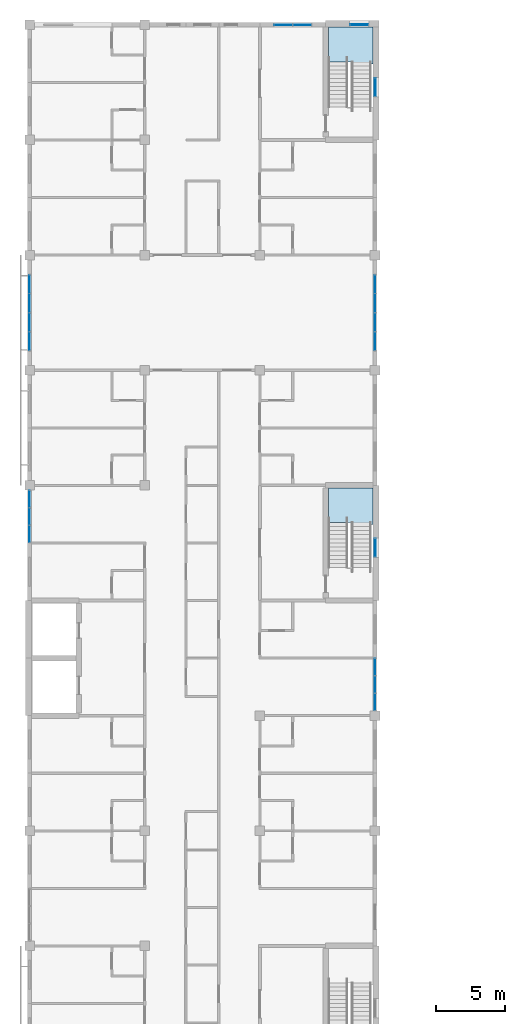
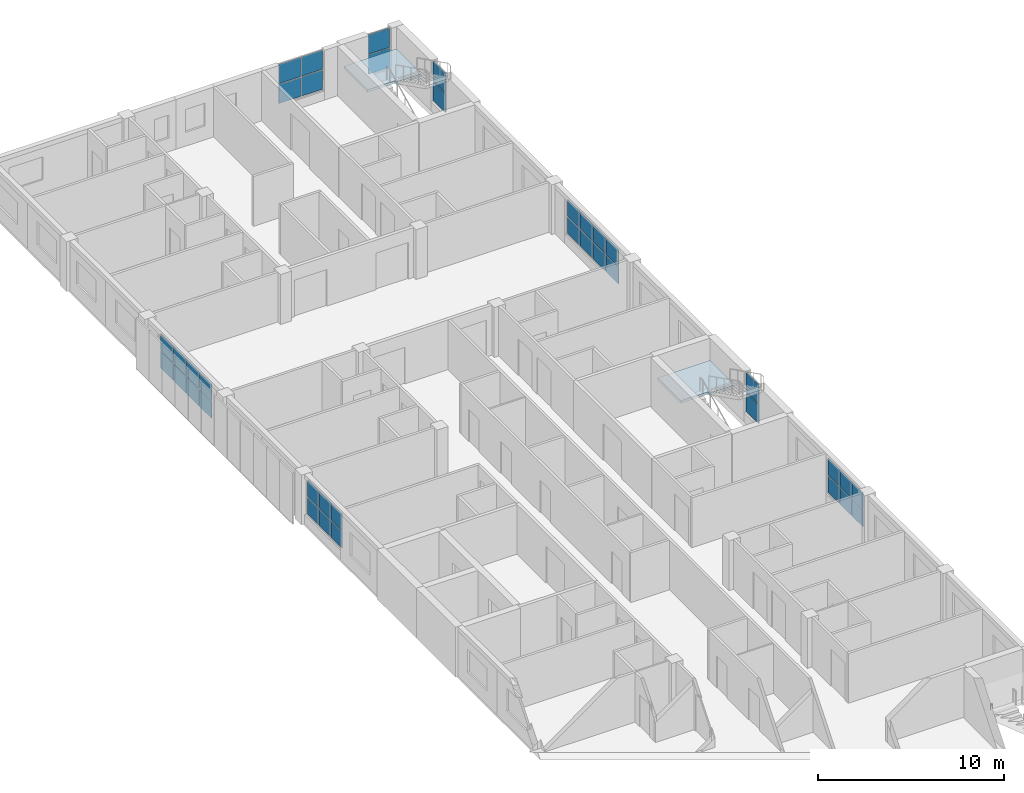
# One storey, part 22 of 46: 38 plates, 2 slabs, 10 elements without a shape of their own.
"""IFC4 building model written with IfcOpenShell, lengths in metres."""

from ifc_helpers import new_model, si_unit, direction, frame, origin, origin_2d, place, context, subcontext, project, spatial, polyline, rectangle, outline, extrude, material, layer, layer_set, type_object, element, aggregate, save


model = new_model("IFC4")

# Units and contexts
model_context = context("Model", 3, precision=1e-05, world=origin(), true_north=direction((0.0, 1.0)))
body_context = subcontext(model_context, "Body", "Model", "MODEL_VIEW")
ifc_project = project(units=[si_unit("LENGTHUNIT", "METRE"), si_unit("AREAUNIT", "SQUARE_METRE"), si_unit("VOLUMEUNIT", "CUBIC_METRE"), si_unit("PLANEANGLEUNIT", "RADIAN"), si_unit("MASSUNIT", "GRAM", prefix="KILO")], contexts=[model_context])

# Site, building, storey
site_placement = place(None, origin())
site = spatial("IfcSite", under=ifc_project, at=site_placement, CompositionType="ELEMENT")
building_placement = place(site_placement, origin())
building = spatial("IfcBuilding", under=site, at=building_placement, Name="Yavir Park General Hospital", CompositionType="ELEMENT")
storey_placement = place(building_placement, frame((0.0, 0.0, 18.89990234375)))
storey = spatial("IfcBuildingStorey", under=building, at=storey_placement, Name="L04", CompositionType="ELEMENT", Elevation=18.89990234375)

# Curtain wall, plates
ifc_material_1 = material(Name="Aluminium curtain wall frame with insulated glazing", Category="aluminium")
curtain_wall_type_1 = type_object("IfcCurtainWallType", Name="Day room pocket glazing, ward floors, 2360 high, 1400 module", PredefinedType="NOTDEFINED", material=ifc_material_1)
curtain_wall_1_placement = place(storey_placement, origin())
curtain_wall_1 = element("IfcCurtainWall", 1, at=curtain_wall_1_placement, inside=storey, type_object=curtain_wall_type_1, Name="CW6 L04-019", PredefinedType="NOTDEFINED")
ifc_material_2 = material(Name="Insulated glazed unit 30 mm, low-e coating")
ifc_layer_1 = layer(ifc_material_2, 0.030029296875)
ifc_layer_set_1 = layer_set([ifc_layer_1], Name="Insulated glazed unit 30 mm, low-e coating")
plate_type_1 = type_object("IfcPlateType", Name="Day room pocket glazing, ward floors, 2360 high panel 30", PredefinedType="CURTAIN_PANEL", material=ifc_layer_set_1)
plate_1_placement = place(storey_placement, frame((0.0, 80.456787109375, 0.66015625), z_axis=(0.0, 0.0, 1.0), x_axis=(0.0, 1.0, 0.0)))
plate_1 = element("IfcPlate", 2, at=plate_1_placement, type_object=plate_type_1, Name="CW6 panel 1.1", PredefinedType="CURTAIN_PANEL", context=body_context, shape_type="SweptSolid", body=[
    extrude(rectangle(XDim=1.193359375, YDim=0.030029296875, at=origin_2d()), origin(), (0.0, 0.0, 1.0), 1.090087890625),
])
plate_2_placement = place(storey_placement, frame((0.0, 80.456787109375, 1.81005859375), z_axis=(0.0, 0.0, 1.0), x_axis=(0.0, 1.0, 0.0)))
plate_2 = element("IfcPlate", 3, at=plate_2_placement, type_object=plate_type_1, Name="CW6 panel 1.2", PredefinedType="CURTAIN_PANEL", context=body_context, shape_type="SweptSolid", body=[
    extrude(rectangle(XDim=1.193359375, YDim=0.030029296875, at=origin_2d()), origin(), (0.0, 0.0, 1.0), 1.090087890625),
])
plate_3_placement = place(storey_placement, frame((0.0, 81.72509765625, 0.66015625), z_axis=(0.0, 0.0, 1.0), x_axis=(0.0, 1.0, 0.0)))
plate_3 = element("IfcPlate", 4, at=plate_3_placement, type_object=plate_type_1, Name="CW6 panel 2.1", PredefinedType="CURTAIN_PANEL", context=body_context, shape_type="SweptSolid", body=[
    extrude(rectangle(XDim=1.223388671875, YDim=0.030029296875, at=origin_2d()), origin(), (0.0, 0.0, 1.0), 1.090087890625),
])
plate_4_placement = place(storey_placement, frame((0.0, 81.72509765625, 1.81005859375), z_axis=(0.0, 0.0, 1.0), x_axis=(0.0, 1.0, 0.0)))
plate_4 = element("IfcPlate", 5, at=plate_4_placement, type_object=plate_type_1, Name="CW6 panel 2.2", PredefinedType="CURTAIN_PANEL", context=body_context, shape_type="SweptSolid", body=[
    extrude(rectangle(XDim=1.223388671875, YDim=0.030029296875, at=origin_2d()), origin(), (0.0, 0.0, 1.0), 1.090087890625),
])
plate_5_placement = place(storey_placement, frame((0.0, 82.993408203125, 0.66015625), z_axis=(0.0, 0.0, 1.0), x_axis=(0.0, 1.0, 0.0)))
plate_5 = element("IfcPlate", 6, at=plate_5_placement, type_object=plate_type_1, Name="CW6 panel 3.1", PredefinedType="CURTAIN_PANEL", context=body_context, shape_type="SweptSolid", body=[
    extrude(rectangle(XDim=1.193359375, YDim=0.030029296875, at=origin_2d()), origin(), (0.0, 0.0, 1.0), 1.090087890625),
])
plate_6_placement = place(storey_placement, frame((0.0, 82.993408203125, 1.81005859375), z_axis=(0.0, 0.0, 1.0), x_axis=(0.0, 1.0, 0.0)))
plate_6 = element("IfcPlate", 7, at=plate_6_placement, type_object=plate_type_1, Name="CW6 panel 3.2", PredefinedType="CURTAIN_PANEL", context=body_context, shape_type="SweptSolid", body=[
    extrude(rectangle(XDim=1.193359375, YDim=0.030029296875, at=origin_2d()), origin(), (0.0, 0.0, 1.0), 1.090087890625),
])
aggregate(curtain_wall_1, [plate_1, plate_2, plate_3, plate_4, plate_5, plate_6])

curtain_wall_2_placement = place(storey_placement, origin())
curtain_wall_2 = element("IfcCurtainWall", 8, at=curtain_wall_2_placement, inside=storey, type_object=curtain_wall_type_1, Name="CW6 L04-020", PredefinedType="NOTDEFINED")
plate_7_placement = place(storey_placement, frame((0.0, 94.514892578125, 0.66015625), z_axis=(0.0, 0.0, 1.0), x_axis=(0.0, 1.0, 0.0)))
plate_7 = element("IfcPlate", 9, at=plate_7_placement, type_object=plate_type_1, Name="CW6 panel 1.1", PredefinedType="CURTAIN_PANEL", context=body_context, shape_type="SweptSolid", body=[
    extrude(rectangle(XDim=1.31005859375, YDim=0.030029296875, at=origin_2d()), origin(), (0.0, 0.0, 1.0), 1.090087890625),
])
plate_8_placement = place(storey_placement, frame((0.0, 94.514892578125, 1.81005859375), z_axis=(0.0, 0.0, 1.0), x_axis=(0.0, 1.0, 0.0)))
plate_8 = element("IfcPlate", 10, at=plate_8_placement, type_object=plate_type_1, Name="CW6 panel 1.2", PredefinedType="CURTAIN_PANEL", context=body_context, shape_type="SweptSolid", body=[
    extrude(rectangle(XDim=1.31005859375, YDim=0.030029296875, at=origin_2d()), origin(), (0.0, 0.0, 1.0), 1.090087890625),
])
plate_9_placement = place(storey_placement, frame((0.0, 95.89990234375, 0.66015625), z_axis=(0.0, 0.0, 1.0), x_axis=(0.0, 1.0, 0.0)))
plate_9 = element("IfcPlate", 11, at=plate_9_placement, type_object=plate_type_1, Name="CW6 panel 2.1", PredefinedType="CURTAIN_PANEL", context=body_context, shape_type="SweptSolid", body=[
    extrude(rectangle(XDim=1.340087890625, YDim=0.030029296875, at=origin_2d()), origin(), (0.0, 0.0, 1.0), 1.090087890625),
])
plate_10_placement = place(storey_placement, frame((0.0, 95.89990234375, 1.81005859375), z_axis=(0.0, 0.0, 1.0), x_axis=(0.0, 1.0, 0.0)))
plate_10 = element("IfcPlate", 12, at=plate_10_placement, type_object=plate_type_1, Name="CW6 panel 2.2", PredefinedType="CURTAIN_PANEL", context=body_context, shape_type="SweptSolid", body=[
    extrude(rectangle(XDim=1.340087890625, YDim=0.030029296875, at=origin_2d()), origin(), (0.0, 0.0, 1.0), 1.090087890625),
])
plate_11_placement = place(storey_placement, frame((0.0, 97.300048828125, 0.66015625), z_axis=(0.0, 0.0, 1.0), x_axis=(0.0, 1.0, 0.0)))
plate_11 = element("IfcPlate", 13, at=plate_11_placement, type_object=plate_type_1, Name="CW6 panel 3.1", PredefinedType="CURTAIN_PANEL", context=body_context, shape_type="SweptSolid", body=[
    extrude(rectangle(XDim=1.340087890625, YDim=0.030029296875, at=origin_2d()), origin(), (0.0, 0.0, 1.0), 1.090087890625),
])
plate_12_placement = place(storey_placement, frame((0.0, 97.300048828125, 1.81005859375), z_axis=(0.0, 0.0, 1.0), x_axis=(0.0, 1.0, 0.0)))
plate_12 = element("IfcPlate", 14, at=plate_12_placement, type_object=plate_type_1, Name="CW6 panel 3.2", PredefinedType="CURTAIN_PANEL", context=body_context, shape_type="SweptSolid", body=[
    extrude(rectangle(XDim=1.340087890625, YDim=0.030029296875, at=origin_2d()), origin(), (0.0, 0.0, 1.0), 1.090087890625),
])
plate_13_placement = place(storey_placement, frame((0.0, 98.68505859375, 0.66015625), z_axis=(0.0, 0.0, 1.0), x_axis=(0.0, 1.0, 0.0)))
plate_13 = element("IfcPlate", 15, at=plate_13_placement, type_object=plate_type_1, Name="CW6 panel 4.1", PredefinedType="CURTAIN_PANEL", context=body_context, shape_type="SweptSolid", body=[
    extrude(rectangle(XDim=1.31005859375, YDim=0.030029296875, at=origin_2d()), origin(), (0.0, 0.0, 1.0), 1.090087890625),
])
plate_14_placement = place(storey_placement, frame((0.0, 98.68505859375, 1.81005859375), z_axis=(0.0, 0.0, 1.0), x_axis=(0.0, 1.0, 0.0)))
plate_14 = element("IfcPlate", 16, at=plate_14_placement, type_object=plate_type_1, Name="CW6 panel 4.2", PredefinedType="CURTAIN_PANEL", context=body_context, shape_type="SweptSolid", body=[
    extrude(rectangle(XDim=1.31005859375, YDim=0.030029296875, at=origin_2d()), origin(), (0.0, 0.0, 1.0), 1.090087890625),
])
aggregate(curtain_wall_2, [plate_7, plate_8, plate_9, plate_10, plate_11, plate_12, plate_13, plate_14])

curtain_wall_3_placement = place(storey_placement, origin())
curtain_wall_3 = element("IfcCurtainWall", 17, at=curtain_wall_3_placement, inside=storey, type_object=curtain_wall_type_1, Name="CW6 L04-023", PredefinedType="NOTDEFINED")
plate_15_placement = place(storey_placement, frame((25.199951171875, 68.206787109375, 0.66015625), z_axis=(0.0, 0.0, 1.0), x_axis=(0.0, 1.0, 0.0)))
plate_15 = element("IfcPlate", 18, at=plate_15_placement, type_object=plate_type_1, Name="CW6 panel 1.1", PredefinedType="CURTAIN_PANEL", context=body_context, shape_type="SweptSolid", body=[
    extrude(rectangle(XDim=1.193359375, YDim=0.030029296875, at=origin_2d()), origin(), (0.0, 0.0, 1.0), 1.090087890625),
])
plate_16_placement = place(storey_placement, frame((25.199951171875, 68.206787109375, 1.81005859375), z_axis=(0.0, 0.0, 1.0), x_axis=(0.0, 1.0, 0.0)))
plate_16 = element("IfcPlate", 19, at=plate_16_placement, type_object=plate_type_1, Name="CW6 panel 1.2", PredefinedType="CURTAIN_PANEL", context=body_context, shape_type="SweptSolid", body=[
    extrude(rectangle(XDim=1.193359375, YDim=0.030029296875, at=origin_2d()), origin(), (0.0, 0.0, 1.0), 1.090087890625),
])
plate_17_placement = place(storey_placement, frame((25.199951171875, 69.47509765625, 0.66015625), z_axis=(0.0, 0.0, 1.0), x_axis=(0.0, 1.0, 0.0)))
plate_17 = element("IfcPlate", 20, at=plate_17_placement, type_object=plate_type_1, Name="CW6 panel 2.1", PredefinedType="CURTAIN_PANEL", context=body_context, shape_type="SweptSolid", body=[
    extrude(rectangle(XDim=1.223388671875, YDim=0.030029296875, at=origin_2d()), origin(), (0.0, 0.0, 1.0), 1.090087890625),
])
plate_18_placement = place(storey_placement, frame((25.199951171875, 69.47509765625, 1.81005859375), z_axis=(0.0, 0.0, 1.0), x_axis=(0.0, 1.0, 0.0)))
plate_18 = element("IfcPlate", 21, at=plate_18_placement, type_object=plate_type_1, Name="CW6 panel 2.2", PredefinedType="CURTAIN_PANEL", context=body_context, shape_type="SweptSolid", body=[
    extrude(rectangle(XDim=1.223388671875, YDim=0.030029296875, at=origin_2d()), origin(), (0.0, 0.0, 1.0), 1.090087890625),
])
plate_19_placement = place(storey_placement, frame((25.199951171875, 70.743408203125, 0.66015625), z_axis=(0.0, 0.0, 1.0), x_axis=(0.0, 1.0, 0.0)))
plate_19 = element("IfcPlate", 22, at=plate_19_placement, type_object=plate_type_1, Name="CW6 panel 3.1", PredefinedType="CURTAIN_PANEL", context=body_context, shape_type="SweptSolid", body=[
    extrude(rectangle(XDim=1.193359375, YDim=0.030029296875, at=origin_2d()), origin(), (0.0, 0.0, 1.0), 1.090087890625),
])
plate_20_placement = place(storey_placement, frame((25.199951171875, 70.743408203125, 1.81005859375), z_axis=(0.0, 0.0, 1.0), x_axis=(0.0, 1.0, 0.0)))
plate_20 = element("IfcPlate", 23, at=plate_20_placement, type_object=plate_type_1, Name="CW6 panel 3.2", PredefinedType="CURTAIN_PANEL", context=body_context, shape_type="SweptSolid", body=[
    extrude(rectangle(XDim=1.193359375, YDim=0.030029296875, at=origin_2d()), origin(), (0.0, 0.0, 1.0), 1.090087890625),
])
aggregate(curtain_wall_3, [plate_15, plate_16, plate_17, plate_18, plate_19, plate_20])

curtain_wall_4_placement = place(storey_placement, origin())
curtain_wall_4 = element("IfcCurtainWall", 24, at=curtain_wall_4_placement, inside=storey, type_object=curtain_wall_type_1, Name="CW6 L04-025", PredefinedType="NOTDEFINED")
plate_21_placement = place(storey_placement, frame((25.199951171875, 94.514892578125, 0.66015625), z_axis=(0.0, 0.0, 1.0), x_axis=(0.0, 1.0, 0.0)))
plate_21 = element("IfcPlate", 25, at=plate_21_placement, type_object=plate_type_1, Name="CW6 panel 1.1", PredefinedType="CURTAIN_PANEL", context=body_context, shape_type="SweptSolid", body=[
    extrude(rectangle(XDim=1.31005859375, YDim=0.030029296875, at=origin_2d()), origin(), (0.0, 0.0, 1.0), 1.090087890625),
])
plate_22_placement = place(storey_placement, frame((25.199951171875, 94.514892578125, 1.81005859375), z_axis=(0.0, 0.0, 1.0), x_axis=(0.0, 1.0, 0.0)))
plate_22 = element("IfcPlate", 26, at=plate_22_placement, type_object=plate_type_1, Name="CW6 panel 1.2", PredefinedType="CURTAIN_PANEL", context=body_context, shape_type="SweptSolid", body=[
    extrude(rectangle(XDim=1.31005859375, YDim=0.030029296875, at=origin_2d()), origin(), (0.0, 0.0, 1.0), 1.090087890625),
])
plate_23_placement = place(storey_placement, frame((25.199951171875, 95.89990234375, 0.66015625), z_axis=(0.0, 0.0, 1.0), x_axis=(0.0, 1.0, 0.0)))
plate_23 = element("IfcPlate", 27, at=plate_23_placement, type_object=plate_type_1, Name="CW6 panel 2.1", PredefinedType="CURTAIN_PANEL", context=body_context, shape_type="SweptSolid", body=[
    extrude(rectangle(XDim=1.340087890625, YDim=0.030029296875, at=origin_2d()), origin(), (0.0, 0.0, 1.0), 1.090087890625),
])
plate_24_placement = place(storey_placement, frame((25.199951171875, 95.89990234375, 1.81005859375), z_axis=(0.0, 0.0, 1.0), x_axis=(0.0, 1.0, 0.0)))
plate_24 = element("IfcPlate", 28, at=plate_24_placement, type_object=plate_type_1, Name="CW6 panel 2.2", PredefinedType="CURTAIN_PANEL", context=body_context, shape_type="SweptSolid", body=[
    extrude(rectangle(XDim=1.340087890625, YDim=0.030029296875, at=origin_2d()), origin(), (0.0, 0.0, 1.0), 1.090087890625),
])
plate_25_placement = place(storey_placement, frame((25.199951171875, 97.300048828125, 0.66015625), z_axis=(0.0, 0.0, 1.0), x_axis=(0.0, 1.0, 0.0)))
plate_25 = element("IfcPlate", 29, at=plate_25_placement, type_object=plate_type_1, Name="CW6 panel 3.1", PredefinedType="CURTAIN_PANEL", context=body_context, shape_type="SweptSolid", body=[
    extrude(rectangle(XDim=1.340087890625, YDim=0.030029296875, at=origin_2d()), origin(), (0.0, 0.0, 1.0), 1.090087890625),
])
plate_26_placement = place(storey_placement, frame((25.199951171875, 97.300048828125, 1.81005859375), z_axis=(0.0, 0.0, 1.0), x_axis=(0.0, 1.0, 0.0)))
plate_26 = element("IfcPlate", 30, at=plate_26_placement, type_object=plate_type_1, Name="CW6 panel 3.2", PredefinedType="CURTAIN_PANEL", context=body_context, shape_type="SweptSolid", body=[
    extrude(rectangle(XDim=1.340087890625, YDim=0.030029296875, at=origin_2d()), origin(), (0.0, 0.0, 1.0), 1.090087890625),
])
plate_27_placement = place(storey_placement, frame((25.199951171875, 98.68505859375, 0.66015625), z_axis=(0.0, 0.0, 1.0), x_axis=(0.0, 1.0, 0.0)))
plate_27 = element("IfcPlate", 31, at=plate_27_placement, type_object=plate_type_1, Name="CW6 panel 4.1", PredefinedType="CURTAIN_PANEL", context=body_context, shape_type="SweptSolid", body=[
    extrude(rectangle(XDim=1.31005859375, YDim=0.030029296875, at=origin_2d()), origin(), (0.0, 0.0, 1.0), 1.090087890625),
])
plate_28_placement = place(storey_placement, frame((25.199951171875, 98.68505859375, 1.81005859375), z_axis=(0.0, 0.0, 1.0), x_axis=(0.0, 1.0, 0.0)))
plate_28 = element("IfcPlate", 32, at=plate_28_placement, type_object=plate_type_1, Name="CW6 panel 4.2", PredefinedType="CURTAIN_PANEL", context=body_context, shape_type="SweptSolid", body=[
    extrude(rectangle(XDim=1.31005859375, YDim=0.030029296875, at=origin_2d()), origin(), (0.0, 0.0, 1.0), 1.090087890625),
])
aggregate(curtain_wall_4, [plate_21, plate_22, plate_23, plate_24, plate_25, plate_26, plate_27, plate_28])

# Stair, slab
ifc_material_3 = material(Name="Concrete C30/37", Category="concrete")
stair_type = type_object("IfcStairType", Name="Patient escape stair, 24 risers of 150 mm, 1400 mm flights", PredefinedType="HALF_TURN_STAIR", material=ifc_material_3)
stair_1_placement = place(storey_placement, origin())
stair_1 = element("IfcStair", 33, at=stair_1_placement, inside=storey, type_object=stair_type, Name="Stair SW2, L04 to L05", PredefinedType="HALF_TURN_STAIR")
ifc_material_4 = material(Name="Concrete C30/37", Category="concrete")
ifc_layer_2 = layer(ifc_material_4, 0.159912109375)
ifc_layer_set_2 = layer_set([ifc_layer_2], Name="Concrete C30/37")
slab_type = type_object("IfcSlabType", Name="Patient escape stair half landing, reinforced concrete 160 mm", PredefinedType="LANDING", material=ifc_layer_set_2)
slab_1_placement = place(storey_placement, frame((0.0, 0.0, 1.64013671875)))
slab_1 = element("IfcSlab", 34, at=slab_1_placement, type_object=slab_type, Name="SW2 landing 1", PredefinedType="LANDING", context=body_context, shape_type="SweptSolid", body=[
    extrude(outline(polyline([(21.800048828125, 81.298583984375), (21.800048828125, 83.800048828125), (25.050048828125, 83.800048828125), (25.050048828125, 81.14990234375), (23.5, 81.14990234375), (23.5, 81.298583984375), (21.800048828125, 81.298583984375)])), origin(), (0.0, 0.0, 1.0), 0.159912109375),
])
aggregate(stair_1, [slab_1])

stair_2_placement = place(storey_placement, origin())
stair_2 = element("IfcStair", 35, at=stair_2_placement, inside=storey, type_object=stair_type, Name="Stair SW3, L04 to L05", PredefinedType="HALF_TURN_STAIR")
slab_2_placement = place(storey_placement, frame((0.0, 0.0, 1.64013671875)))
slab_2 = element("IfcSlab", 36, at=slab_2_placement, type_object=slab_type, Name="SW3 landing 1", PredefinedType="LANDING", context=body_context, shape_type="SweptSolid", body=[
    extrude(outline(polyline([(21.800048828125, 114.8984375), (21.800048828125, 117.449951171875), (25.050048828125, 117.449951171875), (25.050048828125, 114.75), (23.5, 114.75), (23.5, 114.8984375), (21.800048828125, 114.8984375)])), origin(), (0.0, 0.0, 1.0), 0.159912109375),
])
aggregate(stair_2, [slab_2])

# Curtain wall, plates
ifc_material_5 = material(Name="Aluminium curtain wall frame with insulated glazing", Category="aluminium")
curtain_wall_type_2 = type_object("IfcCurtainWallType", Name="Stair light slot, ward floors, 2660 high, 1400 module", PredefinedType="NOTDEFINED", material=ifc_material_5)
curtain_wall_5_placement = place(storey_placement, origin())
curtain_wall_5 = element("IfcCurtainWall", 37, at=curtain_wall_5_placement, inside=storey, type_object=curtain_wall_type_2, Name="CW10 L04-015", PredefinedType="NOTDEFINED")
ifc_material_6 = material(Name="Fire-resisting glazed unit 70 mm")
ifc_layer_3 = layer(ifc_material_6, 0.070068359375)
ifc_layer_set_3 = layer_set([ifc_layer_3], Name="Fire-resisting glazed unit 70 mm")
plate_type_2 = type_object("IfcPlateType", Name="Stair light slot, ward floors, 2660 high panel 70", PredefinedType="CURTAIN_PANEL", material=ifc_layer_set_3)
plate_29_placement = place(storey_placement, frame((24.050048828125, 117.60009765625, 0.650146484375), z_axis=(0.0, 0.0, 1.0), x_axis=(1.0, 0.0, 0.0)))
plate_29 = element("IfcPlate", 38, at=plate_29_placement, type_object=plate_type_2, Name="CW10 panel 1.1", PredefinedType="CURTAIN_PANEL", context=body_context, shape_type="SweptSolid", body=[
    extrude(rectangle(XDim=1.300048828125, YDim=0.070068359375, at=origin_2d()), origin(), (0.0, 0.0, 1.0), 1.2548828125),
])
plate_30_placement = place(storey_placement, frame((24.050048828125, 117.60009765625, 1.955078125), z_axis=(0.0, 0.0, 1.0), x_axis=(1.0, 0.0, 0.0)))
plate_30 = element("IfcPlate", 39, at=plate_30_placement, type_object=plate_type_2, Name="CW10 panel 1.2", PredefinedType="CURTAIN_PANEL", context=body_context, shape_type="SweptSolid", body=[
    extrude(rectangle(XDim=1.300048828125, YDim=0.070068359375, at=origin_2d()), origin(), (0.0, 0.0, 1.0), 1.2548828125),
])
aggregate(curtain_wall_5, [plate_29, plate_30])

curtain_wall_6_placement = place(storey_placement, origin())
curtain_wall_6 = element("IfcCurtainWall", 40, at=curtain_wall_6_placement, inside=storey, type_object=curtain_wall_type_2, Name="CW10 L04-024", PredefinedType="NOTDEFINED")
plate_31_placement = place(storey_placement, frame((25.199951171875, 79.449951171875, 0.650146484375), z_axis=(0.0, 0.0, 1.0), x_axis=(0.0, 1.0, 0.0)))
plate_31 = element("IfcPlate", 41, at=plate_31_placement, type_object=plate_type_2, Name="CW10 panel 1.1", PredefinedType="CURTAIN_PANEL", context=body_context, shape_type="SweptSolid", body=[
    extrude(rectangle(XDim=1.300048828125, YDim=0.070068359375, at=origin_2d()), origin(), (0.0, 0.0, 1.0), 1.2548828125),
])
plate_32_placement = place(storey_placement, frame((25.199951171875, 79.449951171875, 1.955078125), z_axis=(0.0, 0.0, 1.0), x_axis=(0.0, 1.0, 0.0)))
plate_32 = element("IfcPlate", 42, at=plate_32_placement, type_object=plate_type_2, Name="CW10 panel 1.2", PredefinedType="CURTAIN_PANEL", context=body_context, shape_type="SweptSolid", body=[
    extrude(rectangle(XDim=1.300048828125, YDim=0.070068359375, at=origin_2d()), origin(), (0.0, 0.0, 1.0), 1.2548828125),
])
aggregate(curtain_wall_6, [plate_31, plate_32])

curtain_wall_7_placement = place(storey_placement, origin())
curtain_wall_7 = element("IfcCurtainWall", 43, at=curtain_wall_7_placement, inside=storey, type_object=curtain_wall_type_2, Name="CW10 L04-026", PredefinedType="NOTDEFINED")
plate_33_placement = place(storey_placement, frame((25.199951171875, 113.050048828125, 0.650146484375), z_axis=(0.0, 0.0, 1.0), x_axis=(0.0, 1.0, 0.0)))
plate_33 = element("IfcPlate", 44, at=plate_33_placement, type_object=plate_type_2, Name="CW10 panel 1.1", PredefinedType="CURTAIN_PANEL", context=body_context, shape_type="SweptSolid", body=[
    extrude(rectangle(XDim=1.300048828125, YDim=0.070068359375, at=origin_2d()), origin(), (0.0, 0.0, 1.0), 1.2548828125),
])
plate_34_placement = place(storey_placement, frame((25.199951171875, 113.050048828125, 1.955078125), z_axis=(0.0, 0.0, 1.0), x_axis=(0.0, 1.0, 0.0)))
plate_34 = element("IfcPlate", 45, at=plate_34_placement, type_object=plate_type_2, Name="CW10 panel 1.2", PredefinedType="CURTAIN_PANEL", context=body_context, shape_type="SweptSolid", body=[
    extrude(rectangle(XDim=1.300048828125, YDim=0.070068359375, at=origin_2d()), origin(), (0.0, 0.0, 1.0), 1.2548828125),
])
aggregate(curtain_wall_7, [plate_33, plate_34])

ifc_material_7 = material(Name="Aluminium curtain wall frame with insulated glazing", Category="aluminium")
curtain_wall_type_3 = type_object("IfcCurtainWallType", Name="Ward corridor end glazing, 2660 high, 1400 module", PredefinedType="NOTDEFINED", material=ifc_material_7)
curtain_wall_8_placement = place(storey_placement, origin())
curtain_wall_8 = element("IfcCurtainWall", 46, at=curtain_wall_8_placement, inside=storey, type_object=curtain_wall_type_3, Name="CW15 L04-014", PredefinedType="NOTDEFINED")
ifc_material_8 = material(Name="Insulated glazed unit 30 mm, low-e coating")
ifc_layer_4 = layer(ifc_material_8, 0.030029296875)
ifc_layer_set_4 = layer_set([ifc_layer_4], Name="Insulated glazed unit 30 mm, low-e coating")
plate_type_3 = type_object("IfcPlateType", Name="Ward corridor end glazing, 2660 high panel 30", PredefinedType="CURTAIN_PANEL", material=ifc_layer_set_4)
plate_35_placement = place(storey_placement, frame((18.512451171875, 117.60009765625, 0.650146484375), z_axis=(0.0, 0.0, 1.0), x_axis=(1.0, 0.0, 0.0)))
plate_35 = element("IfcPlate", 47, at=plate_35_placement, type_object=plate_type_3, Name="CW15 panel 1.1", PredefinedType="CURTAIN_PANEL", context=body_context, shape_type="SweptSolid", body=[
    extrude(rectangle(XDim=1.324951171875, YDim=0.030029296875, at=origin_2d()), origin(), (0.0, 0.0, 1.0), 1.2548828125),
])
plate_36_placement = place(storey_placement, frame((18.512451171875, 117.60009765625, 1.955078125), z_axis=(0.0, 0.0, 1.0), x_axis=(1.0, 0.0, 0.0)))
plate_36 = element("IfcPlate", 48, at=plate_36_placement, type_object=plate_type_3, Name="CW15 panel 1.2", PredefinedType="CURTAIN_PANEL", context=body_context, shape_type="SweptSolid", body=[
    extrude(rectangle(XDim=1.324951171875, YDim=0.030029296875, at=origin_2d()), origin(), (0.0, 0.0, 1.0), 1.2548828125),
])
plate_37_placement = place(storey_placement, frame((19.887451171875, 117.60009765625, 0.650146484375), z_axis=(0.0, 0.0, 1.0), x_axis=(1.0, 0.0, 0.0)))
plate_37 = element("IfcPlate", 49, at=plate_37_placement, type_object=plate_type_3, Name="CW15 panel 2.1", PredefinedType="CURTAIN_PANEL", context=body_context, shape_type="SweptSolid", body=[
    extrude(rectangle(XDim=1.324951171875, YDim=0.030029296875, at=origin_2d()), origin(), (0.0, 0.0, 1.0), 1.2548828125),
])
plate_38_placement = place(storey_placement, frame((19.887451171875, 117.60009765625, 1.955078125), z_axis=(0.0, 0.0, 1.0), x_axis=(1.0, 0.0, 0.0)))
plate_38 = element("IfcPlate", 50, at=plate_38_placement, type_object=plate_type_3, Name="CW15 panel 2.2", PredefinedType="CURTAIN_PANEL", context=body_context, shape_type="SweptSolid", body=[
    extrude(rectangle(XDim=1.324951171875, YDim=0.030029296875, at=origin_2d()), origin(), (0.0, 0.0, 1.0), 1.2548828125),
])
aggregate(curtain_wall_8, [plate_35, plate_36, plate_37, plate_38])

save(model, "model.ifc")
